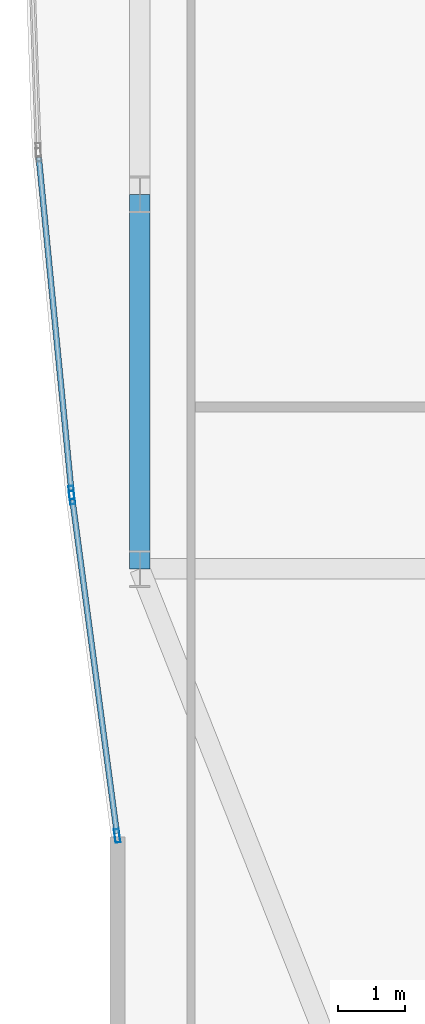
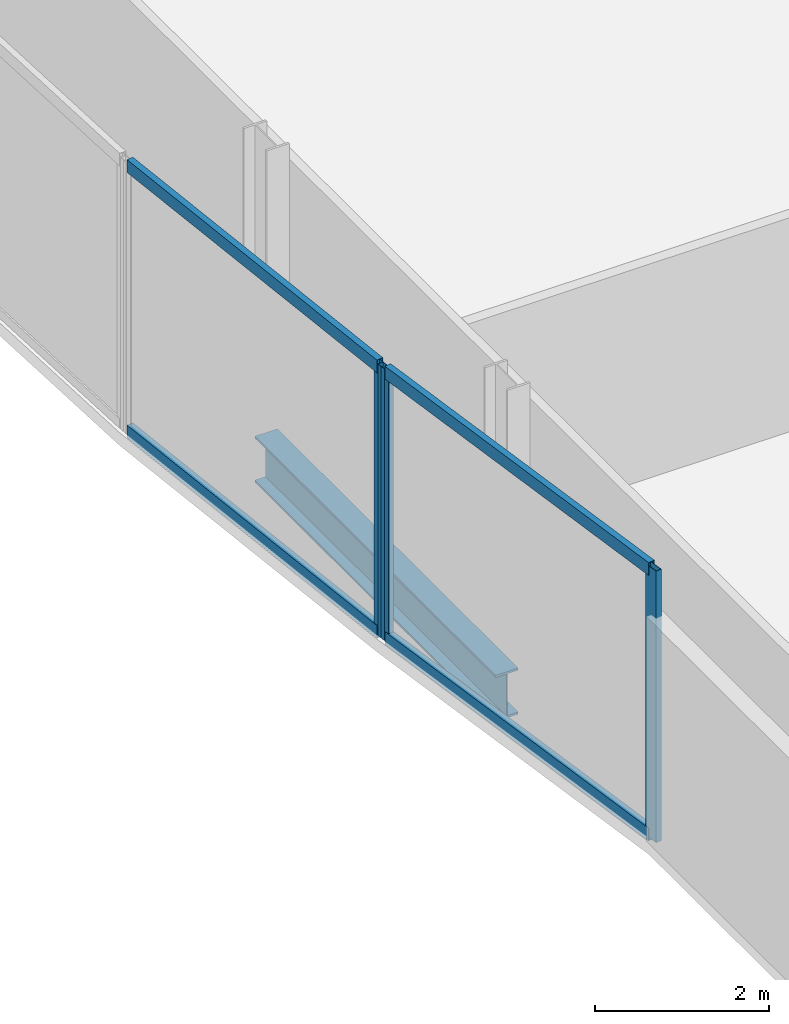
# One storey, part 6 of 35: 7 members, 1 beam, 2 elements without a shape of their own.
"""IFC4 building model written with IfcOpenShell, lengths in metres."""

from ifc_helpers import new_model, si_unit, direction, frame, origin, origin_2d, place, context, subcontext, project, spatial, hollow_rectangle, i_section, extrude, material, material_profile, profile_set, type_object, element, aggregate, save


model = new_model("IFC4")

# Units and contexts
model_context = context("Model", 3, precision=1e-05, world=origin(), true_north=direction((0.0, 1.0)))
body_context = subcontext(model_context, "Body", "Model", "MODEL_VIEW")
ifc_project = project(units=[si_unit("LENGTHUNIT", "METRE"), si_unit("AREAUNIT", "SQUARE_METRE"), si_unit("VOLUMEUNIT", "CUBIC_METRE"), si_unit("PLANEANGLEUNIT", "RADIAN"), si_unit("MASSUNIT", "GRAM", prefix="KILO")], contexts=[model_context])

# Site, building, storey
site_placement = place(None, origin())
site = spatial("IfcSite", under=ifc_project, at=site_placement, CompositionType="ELEMENT")
building_placement = place(site_placement, origin())
building = spatial("IfcBuilding", under=site, at=building_placement, Name="Khoronbel Lancet Exchange", CompositionType="ELEMENT")
storey_placement = place(building_placement, frame((0.0, 0.0, 69.800048828125)))
storey = spatial("IfcBuildingStorey", under=building, at=storey_placement, Name="L16", CompositionType="ELEMENT", Elevation=69.800048828125)

# Beam
ifc_material_1 = material(Name="Steel S355", Category="steel")
ifc_material_profile_1 = material_profile(ifc_material_1, i_section(OverallWidth=0.300048828125, OverallDepth=0.64990234375, WebThickness=0.01611328125, FlangeThickness=0.031005859375, at=origin_2d()), Name="HEB 650")
ifc_profile_set_1 = profile_set([ifc_material_profile_1], Name="Steel S355")
beam_type = type_object("IfcBeamType", Name="BM-BSP1", PredefinedType="SPANDREL", material=ifc_profile_set_1)
beam_placement = place(storey_placement, frame((1.27001953125, 24.75, -0.505126953125), z_axis=(0.0, -1.0, 0.0), x_axis=(1.0, 0.0, 0.0)))
element("IfcBeam", 1, at=beam_placement, inside=storey, type_object=beam_type, Name="Level L16 perimeter spandrel beam SP20", PredefinedType="SPANDREL", context=body_context, shape_type="SweptSolid", body=[
    extrude(i_section(OverallWidth=0.300048828125, OverallDepth=0.64990234375, WebThickness=0.01611328125, FlangeThickness=0.031005859375, at=origin_2d()), origin(), (0.0, 0.0, 1.0), 5.550048828125),
])

# Curtain wall, members
ifc_material_2 = material(Name="Low-E Solar Control Insulating Glass", Category="glass")
curtain_wall_type = type_object("IfcCurtainWallType", Name="CW-4", PredefinedType="NOTDEFINED", material=ifc_material_2)
curtain_wall_1_placement = place(storey_placement, origin())
curtain_wall_1 = element("IfcCurtainWall", 2, at=curtain_wall_1_placement, inside=storey, type_object=curtain_wall_type, Name="Unitised curtain wall CW-L16-E04", PredefinedType="NOTDEFINED")
ifc_material_3 = material(Name="Bronze-Anodised Aluminium 6063-T6", Category="aluminium")
ifc_material_profile_2 = material_profile(ifc_material_3, hollow_rectangle(XDim=0.074951171875, YDim=0.199951171875, WallThickness=0.0048828125, at=origin_2d()), Name="ALU MULLION 75x200")
ifc_profile_set_2 = profile_set([ifc_material_profile_2], Name="Bronze-Anodised Aluminium 6063-T6")
member_type_1 = type_object("IfcMemberType", Name="MEM-CWM2", PredefinedType="MULLION", material=ifc_profile_set_2)
member_1_placement = place(storey_placement, frame((0.93505859375, 15.2431640625, 0.0), z_axis=(0.0, 0.0, 1.0), x_axis=(-0.991229091757, -0.132154786724, 0.0)))
member_1 = element("IfcMember", 3, at=member_1_placement, type_object=member_type_1, Name="CW4 mullion 1", PredefinedType="MULLION", context=body_context, shape_type="SweptSolid", body=[
    extrude(hollow_rectangle(XDim=0.074951171875, YDim=0.199951171875, WallThickness=0.0048828125, at=origin_2d()), origin(), (0.0, 0.0, 1.0), 3.820068359375),
])
member_2_placement = place(storey_placement, frame((0.2666015625, 20.25634765625, 0.0), z_axis=(0.0, 0.0, 1.0), x_axis=(-0.991229091757, -0.132154786724, 0.0)))
member_2 = element("IfcMember", 4, at=member_2_placement, type_object=member_type_1, Name="CW4 mullion 2", PredefinedType="MULLION", context=body_context, shape_type="SweptSolid", body=[
    extrude(hollow_rectangle(XDim=0.074951171875, YDim=0.199951171875, WallThickness=0.0048828125, at=origin_2d()), origin(), (0.0, 0.0, 1.0), 3.820068359375),
])

# Curtain wall, member
curtain_wall_2_placement = place(storey_placement, origin())
curtain_wall_2 = element("IfcCurtainWall", 5, at=curtain_wall_2_placement, inside=storey, type_object=curtain_wall_type, Name="Unitised curtain wall CW-L16-E05", PredefinedType="NOTDEFINED")
member_3_placement = place(storey_placement, frame((0.258056640625, 20.330810546875, 0.0), z_axis=(0.0, 0.0, 1.0), x_axis=(-0.995271261573, -0.097134524689, 0.0)))
member_3 = element("IfcMember", 6, at=member_3_placement, type_object=member_type_1, Name="CW4 mullion 1", PredefinedType="MULLION", context=body_context, shape_type="SweptSolid", body=[
    extrude(hollow_rectangle(XDim=0.074951171875, YDim=0.199951171875, WallThickness=0.0048828125, at=origin_2d()), origin(), (0.0, 0.0, 1.0), 3.820068359375),
])

# Member
ifc_material_profile_3 = material_profile(ifc_material_3, hollow_rectangle(XDim=0.0849609375, YDim=0.179931640625, WallThickness=0.0048828125, at=origin_2d()), Name="ALU TRANSOM 85x180")
ifc_profile_set_3 = profile_set([ifc_material_profile_3], Name="Bronze-Anodised Aluminium 6063-T6")
member_type_2 = type_object("IfcMemberType", Name="MEM-CWT1", PredefinedType="USERDEFINED", material=ifc_profile_set_3)
member_4_placement = place(storey_placement, frame((0.93017578125, 15.2802734375, 0.04248046875), z_axis=(-0.132147672686, 0.991230040204, 0.0), x_axis=(-0.991230040204, -0.132147672686, 0.0)))
member_4 = element("IfcMember", 7, at=member_4_placement, type_object=member_type_2, Name="CW4 transom 1.1", ObjectType="TRANSOM", PredefinedType="USERDEFINED", context=body_context, shape_type="SweptSolid", body=[
    extrude(hollow_rectangle(XDim=0.0849609375, YDim=0.179931640625, WallThickness=0.0048828125, at=origin_2d()), origin(), (0.0, 0.0, 1.0), 4.982666015625),
])

member_5_placement = place(storey_placement, frame((0.93017578125, 15.2802734375, 3.77734375), z_axis=(-0.132147672686, 0.991230040204, 0.0), x_axis=(-0.991230040204, -0.132147672686, 0.0)))
member_5 = element("IfcMember", 8, at=member_5_placement, type_object=member_type_2, Name="CW4 transom 1.2", ObjectType="TRANSOM", PredefinedType="USERDEFINED", context=body_context, shape_type="SweptSolid", body=[
    extrude(hollow_rectangle(XDim=0.0849609375, YDim=0.179931640625, WallThickness=0.0048828125, at=origin_2d()), origin(), (0.0, 0.0, 1.0), 4.982666015625),
])

aggregate(curtain_wall_1, [member_1, member_2, member_4, member_5])

member_6_placement = place(storey_placement, frame((0.25439453125, 20.3681640625, 0.04248046875), z_axis=(-0.097146405733, 0.995270101959, 0.0), x_axis=(-0.995270101959, -0.097146405733, 0.0)))
member_6 = element("IfcMember", 9, at=member_6_placement, type_object=member_type_2, Name="CW4 transom 1.1", ObjectType="TRANSOM", PredefinedType="USERDEFINED", context=body_context, shape_type="SweptSolid", body=[
    extrude(hollow_rectangle(XDim=0.0849609375, YDim=0.179931640625, WallThickness=0.0048828125, at=origin_2d()), origin(), (0.0, 0.0, 1.0), 4.953369140625),
])

member_7_placement = place(storey_placement, frame((0.25439453125, 20.3681640625, 3.77734375), z_axis=(-0.097146405733, 0.995270101959, 0.0), x_axis=(-0.995270101959, -0.097146405733, 0.0)))
member_7 = element("IfcMember", 10, at=member_7_placement, type_object=member_type_2, Name="CW4 transom 1.2", ObjectType="TRANSOM", PredefinedType="USERDEFINED", context=body_context, shape_type="SweptSolid", body=[
    extrude(hollow_rectangle(XDim=0.0849609375, YDim=0.179931640625, WallThickness=0.0048828125, at=origin_2d()), origin(), (0.0, 0.0, 1.0), 4.953369140625),
])

aggregate(curtain_wall_2, [member_3, member_6, member_7])

save(model, "model.ifc")
